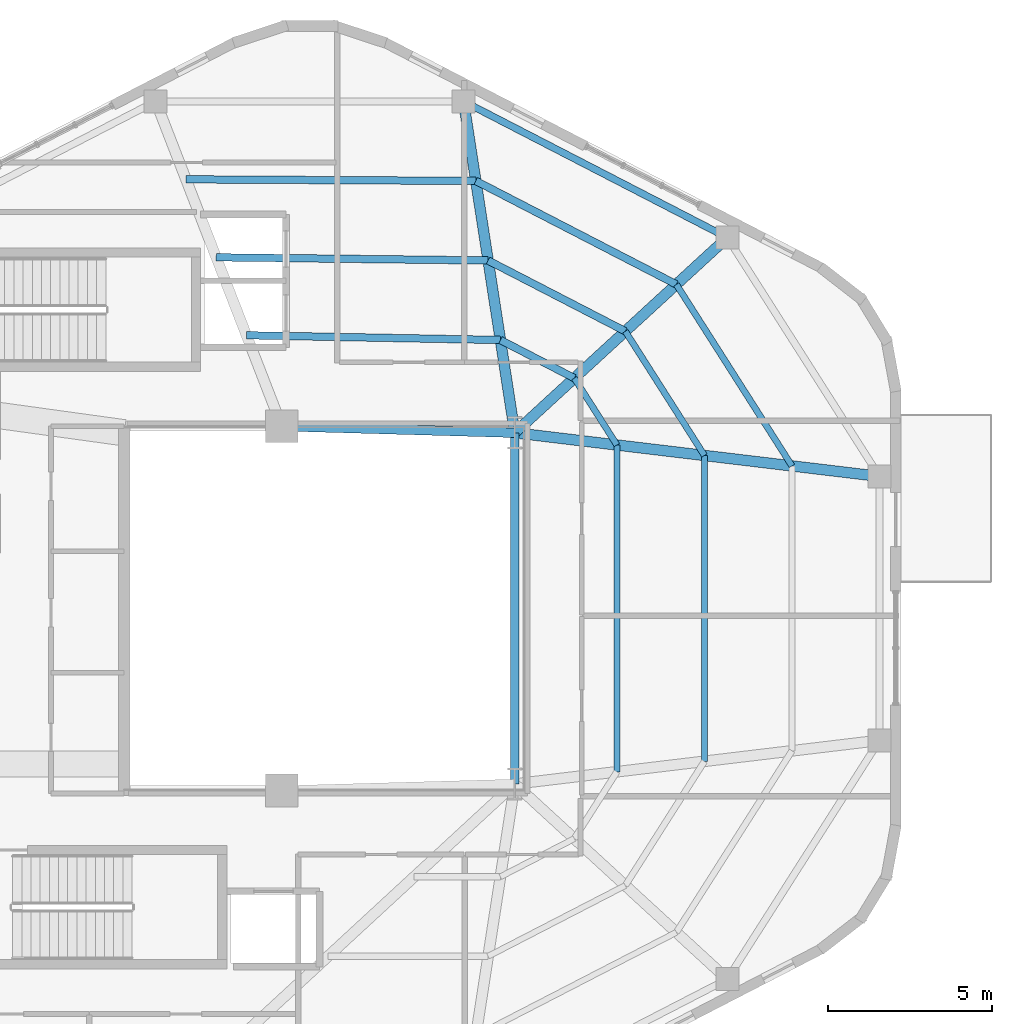
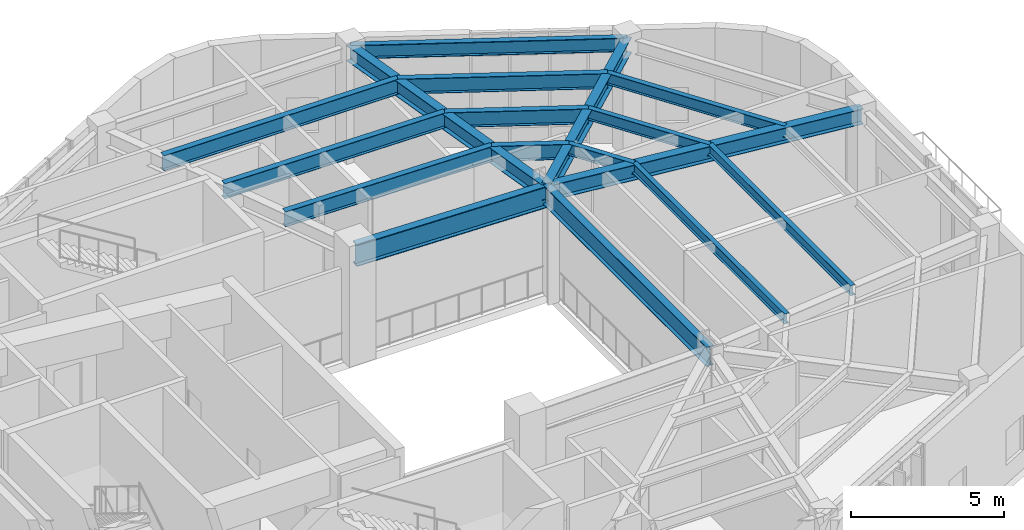
# One storey, part 7 of 19: 17 beams.
"""IFC4 building model written with IfcOpenShell, lengths in metres."""

import ifcopenshell
import ifcopenshell.guid

model = None  # the IFC model being written
_history = None  # IfcOwnerHistory: only IFC2X3 demands one
_inside = {}  # id of a spatial element -> (the spatial element, [elements in it])
_under = {}  # id of a project, library or spatial element -> (it, [spatial elements below it])
_declared = {}  # id of a project -> (the project, [libraries it declares])
_typed = {}  # id of a type object -> (the type object, [elements of that type])
_made_of = {}  # id of a material, layer set ... -> (it, [elements and type objects made of it])


def new_model(schema):
    """Start an empty IFC model of exactly this schema.

    Asked for "IFC4X3", IfcOpenShell would pick the latest addendum, in which some entities
    have other attributes; the version numbers below select the first issue.
    IFC2X3 requires an IfcOwnerHistory on every rooted entity: one is made here for all.
    """
    global model, _history
    if schema == "IFC4X3":
        model = ifcopenshell.file(schema_version=(4, 3, 0, 0))
    else:
        model = ifcopenshell.file(schema=schema)
    _inside.clear()
    _under.clear()
    _declared.clear()
    _typed.clear()
    _made_of.clear()
    _history = None
    if model.schema == "IFC2X3":
        org = make("IfcOrganization", Name="unknown")
        user = make(
            "IfcPersonAndOrganization",
            ThePerson=make("IfcPerson", FamilyName="unknown"),
            TheOrganization=org,
        )
        app = make(
            "IfcApplication",
            ApplicationDeveloper=org,
            Version="unknown",
            ApplicationFullName="unknown",
            ApplicationIdentifier="unknown",
        )
        _history = make(
            "IfcOwnerHistory",
            OwningUser=user,
            OwningApplication=app,
            ChangeAction="ADDED",
            CreationDate=0,
        )
    return model


def make(cls, **values):
    """One entity of the class cls with the attributes given. An attribute that is None is left unset."""
    return model.create_entity(
        cls, **{name: value for name, value in values.items() if value is not None}
    )


def rooted(cls, **values):
    """An entity with a GlobalId (a new one), such as an element, a storey or a relation."""
    return make(cls, GlobalId=ifcopenshell.guid.new(), OwnerHistory=_history, **values)


def si_unit(unit_type, name, prefix=None):
    """IfcSIUnit, for example si_unit("LENGTHUNIT", "METRE", prefix="MILLI")."""
    return make("IfcSIUnit", UnitType=unit_type, Prefix=prefix, Name=name)


def assignment(units):
    """IfcUnitAssignment: the units of a project."""
    return None if units is None else make("IfcUnitAssignment", Units=units)


def point(xyz):
    """IfcCartesianPoint."""
    return None if xyz is None else make("IfcCartesianPoint", Coordinates=xyz)


def direction(xyz):
    """IfcDirection."""
    return None if xyz is None else make("IfcDirection", DirectionRatios=xyz)


def frame(location, z_axis=None, x_axis=None):
    """IfcAxis2Placement3D, a coordinate frame: its origin and axes. An axis left out is left unset."""
    return make(
        "IfcAxis2Placement3D",
        Location=point(location),
        Axis=direction(z_axis),
        RefDirection=direction(x_axis),
    )


def frame_2d(location, x_axis=None):
    """IfcAxis2Placement2D, a coordinate frame in the plane: its origin and x axis."""
    return make(
        "IfcAxis2Placement2D", Location=point(location), RefDirection=direction(x_axis)
    )


def origin():
    """The frame at (0, 0, 0) with its axes left unset."""
    return frame((0.0, 0.0, 0.0))


def origin_2d():
    """The frame at (0, 0) in the plane with its x axis left unset."""
    return frame_2d((0.0, 0.0))


def place(relative_to, where):
    """IfcLocalPlacement: puts the frame where relative to a parent placement (None: the world)."""
    return make(
        "IfcLocalPlacement", PlacementRelTo=relative_to, RelativePlacement=where
    )


def context(
    kind, dimensions, precision=None, world=None, true_north=None, identifier=None
):
    """IfcGeometricRepresentationContext, for example the 3D "Model" context."""
    return make(
        "IfcGeometricRepresentationContext",
        ContextIdentifier=identifier,
        ContextType=kind,
        CoordinateSpaceDimension=dimensions,
        Precision=precision,
        WorldCoordinateSystem=world,
        TrueNorth=true_north,
    )


def subcontext(parent, identifier, kind, view, scale=None):
    """IfcGeometricRepresentationSubContext, for example "Body" below "Model"."""
    return make(
        "IfcGeometricRepresentationSubContext",
        ContextIdentifier=identifier,
        ContextType=kind,
        ParentContext=parent,
        TargetScale=scale,
        TargetView=view,
    )


def project(units=None, contexts=None):
    """IfcProject with its units and contexts."""
    return rooted(
        "IfcProject",
        Name="project",
        RepresentationContexts=contexts,
        UnitsInContext=assignment(units),
    )


def spatial(cls, under=None, at=None, **own):
    """A site, building, storey or space (cls), placed at a placement, below another one or the project."""
    s = rooted(cls, ObjectPlacement=at, **own)
    if under is not None:
        _under.setdefault(under.id(), (under, []))[1].append(s)
    return s


def profile(cls, at=None, kind="AREA", **sizes):
    """A parametric profile (cls). Its sizes go by their IFC names, for example OverallWidth=200.0."""
    return make(cls, ProfileType=kind, Position=at, **sizes)


def i_section(**sizes):
    """IfcIShapeProfileDef."""
    return profile("IfcIShapeProfileDef", **sizes)


def extrude(swept, where, along, depth):
    """IfcExtrudedAreaSolid: the profile swept, set in the frame where, extruded along a direction by depth."""
    return make(
        "IfcExtrudedAreaSolid",
        SweptArea=swept,
        Position=where,
        ExtrudedDirection=direction(along),
        Depth=depth,
    )


def shape(context_of_items, identifier, shape_type, items):
    """IfcShapeRepresentation: the items that make up one representation, for example the "Body"."""
    return make(
        "IfcShapeRepresentation",
        ContextOfItems=context_of_items,
        RepresentationIdentifier=identifier,
        RepresentationType=shape_type,
        Items=items,
    )


def material(Name=None, Category=None):
    """IfcMaterial."""
    return make("IfcMaterial", Name=Name, Category=Category)


def material_profile(
    of_material, cross_section, Name=None, Category=None, Priority=None
):
    """IfcMaterialProfile: a cross section and its material."""
    return make(
        "IfcMaterialProfile",
        Name=Name,
        Material=of_material,
        Profile=cross_section,
        Priority=Priority,
        Category=Category,
    )


def profile_set(profiles, Name=None, composite=None):
    """IfcMaterialProfileSet."""
    return make(
        "IfcMaterialProfileSet",
        Name=Name,
        MaterialProfiles=profiles,
        CompositeProfile=composite,
    )


def made_of(thing, what):
    """Note that an element or type object is made of a material, layer set ...; save() writes the relation."""
    if what is not None:
        _made_of.setdefault(what.id(), (what, []))[1].append(thing)
    return thing


def type_object(cls, material=None, **own):
    """A type object (cls), such as IfcWallType, which elements share."""
    return made_of(rooted(cls, **own), material)


def element(
    cls,
    number,
    at=None,
    inside=None,
    cuts=None,
    type_object=None,
    material=None,
    context=None,
    identifier="Body",
    shape_type=None,
    held_by="IfcProductDefinitionShape",
    body=None,
    shapes=None,
    **own,
):
    """One element of the class cls, such as IfcWall. Its Tag is "e" and its number.

    at: its placement. inside: the storey or other place that contains it. cuts: it is an
    opening in that element (IfcRelVoidsElement). A single representation is given by context,
    identifier, shape_type and body (its items); several are given by shapes. held_by: the class
    of the entity that holds the representations. save() writes the other relations.
    """
    e = rooted(cls, Tag="e%d" % number, ObjectPlacement=at, **own)
    if body is not None:
        shapes = [shape(context, identifier, shape_type, body)]
    if shapes is not None:
        e.Representation = make(held_by, Representations=shapes)
    if inside is not None:
        _inside.setdefault(inside.id(), (inside, []))[1].append(e)
    if cuts is not None:
        rooted(
            "IfcRelVoidsElement", RelatingBuildingElement=cuts, RelatedOpeningElement=e
        )
    if type_object is not None:
        _typed.setdefault(type_object.id(), (type_object, []))[1].append(e)
    return made_of(e, material)


def aggregate(whole, parts):
    """IfcRelAggregates: a whole, such as a stair, and the parts it consists of."""
    return rooted("IfcRelAggregates", RelatingObject=whole, RelatedObjects=parts)


def save(model, path):
    """Write the relations noted so far, then the file.

    IfcRelAggregates (storeys below a building ...), IfcRelContainedInSpatialStructure (elements
    in a storey), IfcRelDefinesByType, IfcRelAssociatesMaterial and IfcRelDeclares: one each for
    every whole, place, type object, material and project.
    """
    for whole, parts in _under.values():
        aggregate(whole, parts)
    for where, things in _inside.values():
        rooted(
            "IfcRelContainedInSpatialStructure",
            RelatedElements=things,
            RelatingStructure=where,
        )
    for kind, things in _typed.values():
        rooted("IfcRelDefinesByType", RelatedObjects=things, RelatingType=kind)
    for what, things in _made_of.values():
        rooted("IfcRelAssociatesMaterial", RelatedObjects=things, RelatingMaterial=what)
    for by, libraries in _declared.values():
        rooted("IfcRelDeclares", RelatingContext=by, RelatedDefinitions=libraries)
    model.write(path)


model = new_model("IFC4")

# Units and contexts
model_context = context("Model", 3, precision=1e-05, world=origin(), true_north=direction((0.0, 1.0)))
body_context = subcontext(model_context, "Body", "Model", "MODEL_VIEW")
ifc_project = project(units=[si_unit("LENGTHUNIT", "METRE"), si_unit("AREAUNIT", "SQUARE_METRE"), si_unit("VOLUMEUNIT", "CUBIC_METRE"), si_unit("PLANEANGLEUNIT", "RADIAN"), si_unit("MASSUNIT", "GRAM", prefix="KILO"), si_unit("THERMODYNAMICTEMPERATUREUNIT", "KELVIN"), si_unit("POWERUNIT", "WATT")], contexts=[model_context])

# Site, building, storey
site_placement = place(None, origin())
site = spatial("IfcSite", under=ifc_project, at=site_placement, CompositionType="ELEMENT")
building_placement = place(site_placement, origin())
building = spatial("IfcBuilding", under=site, at=building_placement, Name="Skarre Station Tower", CompositionType="ELEMENT")
storey_placement = place(building_placement, frame((0.0, 0.0, 275.10009765625)))
storey = spatial("IfcBuildingStorey", under=building, at=storey_placement, Name="L75", CompositionType="ELEMENT", Elevation=275.10009765625)

# Beams
ifc_material = material(Name="Steel ASTM A992 Grade 50", Category="steel")
ifc_material_profile_1 = material_profile(ifc_material, i_section(OverallWidth=0.323974609375, OverallDepth=0.611083984375, WebThickness=0.012939453125, FlangeThickness=0.01904296875, at=origin_2d()), Name="Steel ASTM A992 Grade 50")
ifc_profile_set_1 = profile_set([ifc_material_profile_1], Name="Steel ASTM A992 Grade 50")
beam_type_1 = type_object("IfcBeamType", Name="Steel Beam W24X104", PredefinedType="BEAM", material=ifc_profile_set_1)
beam_1_placement = place(storey_placement, frame((39.449951171875, 29.35009765625, 4.183837890625), z_axis=(0.736547671183, 0.676385635621, 0.0), x_axis=(-0.676385635621, 0.736547671183, 0.0)))
element("IfcBeam", 1, at=beam_1_placement, inside=storey, type_object=beam_type_1, Name="L75 Radial Floor Girder F0C1", PredefinedType="BEAM", context=body_context, shape_type="SweptSolid", body=[
    extrude(i_section(OverallWidth=0.323974609375, OverallDepth=0.611083984375, WebThickness=0.012939453125, FlangeThickness=0.01904296875, at=origin_2d()), origin(), (0.0, 0.0, 1.0), 8.793701171875),
])
beam_2_placement = place(storey_placement, frame((39.449951171875, 29.35009765625, 4.183837890625), z_axis=(-0.152789762931, 0.988258715288, 0.0), x_axis=(-0.988258715288, -0.152789762931, 0.0)))
element("IfcBeam", 2, at=beam_2_placement, inside=storey, type_object=beam_type_1, Name="L75 Radial Floor Girder F0C2", PredefinedType="BEAM", context=body_context, shape_type="SweptSolid", body=[
    extrude(i_section(OverallWidth=0.323974609375, OverallDepth=0.611083984375, WebThickness=0.012939453125, FlangeThickness=0.01904296875, at=origin_2d()), origin(), (0.0, 0.0, 1.0), 10.216796875),
])
beam_3_placement = place(storey_placement, frame((39.449951171875, 29.35009765625, 4.183837890625), z_axis=(0.99292393128, -0.118752122891, 0.0), x_axis=(0.118752122891, 0.99292393128, 0.0)))
element("IfcBeam", 3, at=beam_3_placement, inside=storey, type_object=beam_type_1, Name="L75 Radial Floor Girder F5C2", PredefinedType="BEAM", context=body_context, shape_type="SweptSolid", body=[
    extrude(i_section(OverallWidth=0.323974609375, OverallDepth=0.611083984375, WebThickness=0.012939453125, FlangeThickness=0.01904296875, at=origin_2d()), origin(), (0.0, 0.0, 1.0), 11.192138671875),
])
ifc_material_profile_2 = material_profile(ifc_material, i_section(OverallWidth=0.26806640625, OverallDepth=0.77001953125, WebThickness=0.01611328125, FlangeThickness=0.02490234375, at=origin_2d()), Name="Steel ASTM A992 Grade 50")
ifc_profile_set_2 = profile_set([ifc_material_profile_2], Name="Steel ASTM A992 Grade 50")
beam_type_2 = type_object("IfcBeamType", Name="Steel Beam W30X132", PredefinedType="BEAM", material=ifc_profile_set_2)
beam_4_placement = place(storey_placement, frame((39.449951171875, 18.64990234375, 4.10498046875), z_axis=(0.0, 1.0, 0.0), x_axis=(-1.0, 0.0, 0.0)))
element("IfcBeam", 4, at=beam_4_placement, inside=storey, type_object=beam_type_2, Name="L75 Atrium East Edge Girder", PredefinedType="BEAM", context=body_context, shape_type="SweptSolid", body=[
    extrude(i_section(OverallWidth=0.26806640625, OverallDepth=0.77001953125, WebThickness=0.01611328125, FlangeThickness=0.02490234375, at=origin_2d()), origin(), (0.0, 0.0, 1.0), 10.7001953125),
])
ifc_material_profile_3 = material_profile(ifc_material, i_section(OverallWidth=0.2919921875, OverallDepth=0.85888671875, WebThickness=0.01708984375, FlangeThickness=0.031005859375, at=origin_2d()), Name="Steel ASTM A992 Grade 50")
ifc_profile_set_3 = profile_set([ifc_material_profile_3], Name="Steel ASTM A992 Grade 50")
beam_type_3 = type_object("IfcBeamType", Name="Steel Beam W33X169", PredefinedType="BEAM", material=ifc_profile_set_3)
beam_5_placement = place(storey_placement, frame((32.35009765625, 29.550048828125, 4.059814453125), z_axis=(0.999603666405, -0.028151556095, 0.0), x_axis=(0.028151556095, 0.999603666405, 0.0)))
element("IfcBeam", 5, at=beam_5_placement, inside=storey, type_object=beam_type_3, Name="L75 Atrium North Edge Girder", PredefinedType="BEAM", context=body_context, shape_type="SweptSolid", body=[
    extrude(i_section(OverallWidth=0.2919921875, OverallDepth=0.85888671875, WebThickness=0.01708984375, FlangeThickness=0.031005859375, at=origin_2d()), origin(), (0.0, 0.0, 1.0), 7.102783203125),
])
ifc_material_profile_4 = material_profile(ifc_material, i_section(OverallWidth=0.177978515625, OverallDepth=0.403076171875, WebThickness=0.008056640625, FlangeThickness=0.010986328125, at=origin_2d()), Name="Steel ASTM A992 Grade 50")
ifc_profile_set_4 = profile_set([ifc_material_profile_4], Name="Steel ASTM A992 Grade 50")
beam_type_4 = type_object("IfcBeamType", Name="Steel Joist W16X36", PredefinedType="JOIST", material=ifc_profile_set_4)
beam_6_placement = place(storey_placement, frame((42.56201171875, 19.02197265625, 4.287841796875), z_axis=(0.0, 1.0, 0.0), x_axis=(-1.0, 0.0, 0.0)))
element("IfcBeam", 6, at=beam_6_placement, inside=storey, type_object=beam_type_4, Name="L75 Auxiliary Composite Joist 21", PredefinedType="JOIST", context=body_context, shape_type="SweptSolid", body=[
    extrude(i_section(OverallWidth=0.177978515625, OverallDepth=0.403076171875, WebThickness=0.008056640625, FlangeThickness=0.010986328125, at=origin_2d()), origin(), (0.0, 0.0, 1.0), 9.9560546875),
])
beam_7_placement = place(storey_placement, frame((45.22900390625, 19.341064453125, 4.287841796875), z_axis=(0.0, 1.0, 0.0), x_axis=(-1.0, 0.0, 0.0)))
element("IfcBeam", 7, at=beam_7_placement, inside=storey, type_object=beam_type_4, Name="L75 Auxiliary Composite Joist 22", PredefinedType="JOIST", context=body_context, shape_type="SweptSolid", body=[
    extrude(i_section(OverallWidth=0.177978515625, OverallDepth=0.403076171875, WebThickness=0.008056640625, FlangeThickness=0.010986328125, at=origin_2d()), origin(), (0.0, 0.0, 1.0), 9.31787109375),
])
ifc_material_profile_5 = material_profile(ifc_material, i_section(OverallWidth=0.19091796875, OverallDepth=0.45703125, WebThickness=0.009033203125, FlangeThickness=0.013916015625, at=origin_2d()), Name="Steel ASTM A992 Grade 50")
ifc_profile_set_5 = profile_set([ifc_material_profile_5], Name="Steel ASTM A992 Grade 50")
beam_type_5 = type_object("IfcBeamType", Name="Steel Joist W18X50", PredefinedType="JOIST", material=ifc_profile_set_5)
beam_8_placement = place(storey_placement, frame((42.56201171875, 28.97802734375, 4.260986328125), z_axis=(-0.537437848622, 0.843303361116, 0.0), x_axis=(-0.843303361116, -0.537437848622, 0.0)))
element("IfcBeam", 8, at=beam_8_placement, inside=storey, type_object=beam_type_5, Name="L75 Auxiliary Composite Joist 24", PredefinedType="JOIST", context=body_context, shape_type="SweptSolid", body=[
    extrude(i_section(OverallWidth=0.19091796875, OverallDepth=0.45703125, WebThickness=0.009033203125, FlangeThickness=0.013916015625, at=origin_2d()), origin(), (0.0, 0.0, 1.0), 2.415283203125),
])
beam_9_placement = place(storey_placement, frame((45.22900390625, 28.658935546875, 4.260986328125), z_axis=(-0.53731551376, 0.843381312737, 0.0), x_axis=(-0.843381312737, -0.53731551376, 0.0)))
element("IfcBeam", 9, at=beam_9_placement, inside=storey, type_object=beam_type_5, Name="L75 Auxiliary Composite Joist 25", PredefinedType="JOIST", context=body_context, shape_type="SweptSolid", body=[
    extrude(i_section(OverallWidth=0.19091796875, OverallDepth=0.45703125, WebThickness=0.009033203125, FlangeThickness=0.013916015625, at=origin_2d()), origin(), (0.0, 0.0, 1.0), 4.48681640625),
])
beam_10_placement = place(storey_placement, frame((47.89599609375, 28.340087890625, 4.260986328125), z_axis=(-0.537292232804, 0.843396144507, 0.0), x_axis=(-0.843396144507, -0.537292232804, 0.0)))
element("IfcBeam", 10, at=beam_10_placement, inside=storey, type_object=beam_type_5, Name="L75 Auxiliary Composite Joist 26", PredefinedType="JOIST", context=body_context, shape_type="SweptSolid", body=[
    extrude(i_section(OverallWidth=0.19091796875, OverallDepth=0.45703125, WebThickness=0.009033203125, FlangeThickness=0.013916015625, at=origin_2d()), origin(), (0.0, 0.0, 1.0), 6.556884765625),
])
ifc_material_profile_6 = material_profile(ifc_material, i_section(OverallWidth=0.22802734375, OverallDepth=0.60791015625, WebThickness=0.010986328125, FlangeThickness=0.01708984375, at=origin_2d()), Name="Steel ASTM A992 Grade 50")
ifc_profile_set_6 = profile_set([ifc_material_profile_6], Name="Steel ASTM A992 Grade 50")
beam_type_6 = type_object("IfcBeamType", Name="Steel Joist W24X76", PredefinedType="JOIST", material=ifc_profile_set_6)
beam_11_placement = place(storey_placement, frame((41.263916015625, 31.014892578125, 4.185791015625), z_axis=(-0.888569970054, 0.458741112522, 0.0), x_axis=(-0.458741112522, -0.888569970054, 0.0)))
element("IfcBeam", 11, at=beam_11_placement, inside=storey, type_object=beam_type_6, Name="L75 Secondary Floor Joist 1", PredefinedType="JOIST", context=body_context, shape_type="SweptSolid", body=[
    extrude(i_section(OverallWidth=0.22802734375, OverallDepth=0.60791015625, WebThickness=0.010986328125, FlangeThickness=0.01708984375, at=origin_2d()), origin(), (0.0, 0.0, 1.0), 2.533203125),
])
beam_12_placement = place(storey_placement, frame((42.818115234375, 32.443115234375, 4.185791015625), z_axis=(-0.88866637077, 0.458554338614, 0.0), x_axis=(-0.458554338614, -0.88866637077, 0.0)))
element("IfcBeam", 12, at=beam_12_placement, inside=storey, type_object=beam_type_6, Name="L75 Secondary Floor Joist 2", PredefinedType="JOIST", context=body_context, shape_type="SweptSolid", body=[
    extrude(i_section(OverallWidth=0.22802734375, OverallDepth=0.60791015625, WebThickness=0.010986328125, FlangeThickness=0.01708984375, at=origin_2d()), origin(), (0.0, 0.0, 1.0), 4.703857421875),
])
beam_13_placement = place(storey_placement, frame((44.373046875, 33.8701171875, 4.185791015625), z_axis=(-0.888578636, 0.458724326414, 0.0), x_axis=(-0.458724326414, -0.888578636, 0.0)))
element("IfcBeam", 13, at=beam_13_placement, inside=storey, type_object=beam_type_6, Name="L75 Secondary Floor Joist 3", PredefinedType="JOIST", context=body_context, shape_type="SweptSolid", body=[
    extrude(i_section(OverallWidth=0.22802734375, OverallDepth=0.60791015625, WebThickness=0.010986328125, FlangeThickness=0.01708984375, at=origin_2d()), origin(), (0.0, 0.0, 1.0), 6.875244140625),
])
beam_14_placement = place(storey_placement, frame((39.012939453125, 32.177001953125, 4.185791015625), z_axis=(-0.999826787326, 0.018611699149, 0.0), x_axis=(-0.018611699149, -0.999826787326, 0.0)))
element("IfcBeam", 14, at=beam_14_placement, inside=storey, type_object=beam_type_6, Name="L75 Secondary Floor Joist 4", PredefinedType="JOIST", context=body_context, shape_type="SweptSolid", body=[
    extrude(i_section(OverallWidth=0.22802734375, OverallDepth=0.60791015625, WebThickness=0.010986328125, FlangeThickness=0.01708984375, at=origin_2d()), origin(), (0.0, 0.0, 1.0), 7.7392578125),
])
beam_15_placement = place(storey_placement, frame((38.637939453125, 34.60009765625, 4.185791015625), z_axis=(-0.999932931577, 0.011581552035, 0.0), x_axis=(-0.011581552035, -0.999932931577, 0.0)))
element("IfcBeam", 15, at=beam_15_placement, inside=storey, type_object=beam_type_6, Name="L75 Secondary Floor Joist 5", PredefinedType="JOIST", context=body_context, shape_type="SweptSolid", body=[
    extrude(i_section(OverallWidth=0.22802734375, OverallDepth=0.60791015625, WebThickness=0.010986328125, FlangeThickness=0.01708984375, at=origin_2d()), origin(), (0.0, 0.0, 1.0), 8.284423828125),
])
beam_16_placement = place(storey_placement, frame((38.263916015625, 37.02392578125, 4.185791015625), z_axis=(-0.999985173054, 0.005445518551, 0.0), x_axis=(-0.005445518551, -0.999985173054, 0.0)))
element("IfcBeam", 16, at=beam_16_placement, inside=storey, type_object=beam_type_6, Name="L75 Secondary Floor Joist 6", PredefinedType="JOIST", context=body_context, shape_type="SweptSolid", body=[
    extrude(i_section(OverallWidth=0.22802734375, OverallDepth=0.60791015625, WebThickness=0.010986328125, FlangeThickness=0.01708984375, at=origin_2d()), origin(), (0.0, 0.0, 1.0), 8.832275390625),
])
ifc_material_profile_7 = material_profile(ifc_material, i_section(OverallWidth=0.214111328125, OverallDepth=0.549072265625, WebThickness=0.014892578125, FlangeThickness=0.02392578125, at=origin_2d()), Name="Steel ASTM A992 Grade 50")
ifc_profile_set_7 = profile_set([ifc_material_profile_7], Name="Steel ASTM A992 Grade 50")
beam_type_7 = type_object("IfcBeamType", Name="Steel Spandrel W21X93", PredefinedType="SPANDREL", material=ifc_profile_set_7)
beam_17_placement = place(storey_placement, frame((45.927001953125, 35.298095703125, 4.21484375), z_axis=(-0.888610011727, 0.458663544505, 0.0), x_axis=(-0.458663544505, -0.888610011727, 0.0)))
element("IfcBeam", 17, at=beam_17_placement, inside=storey, type_object=beam_type_7, Name="L75 Facet Spandrel Beam 1", PredefinedType="SPANDREL", context=body_context, shape_type="SweptSolid", body=[
    extrude(i_section(OverallWidth=0.214111328125, OverallDepth=0.549072265625, WebThickness=0.014892578125, FlangeThickness=0.02392578125, at=origin_2d()), origin(), (0.0, 0.0, 1.0), 9.045654296875),
])

save(model, "model.ifc")
